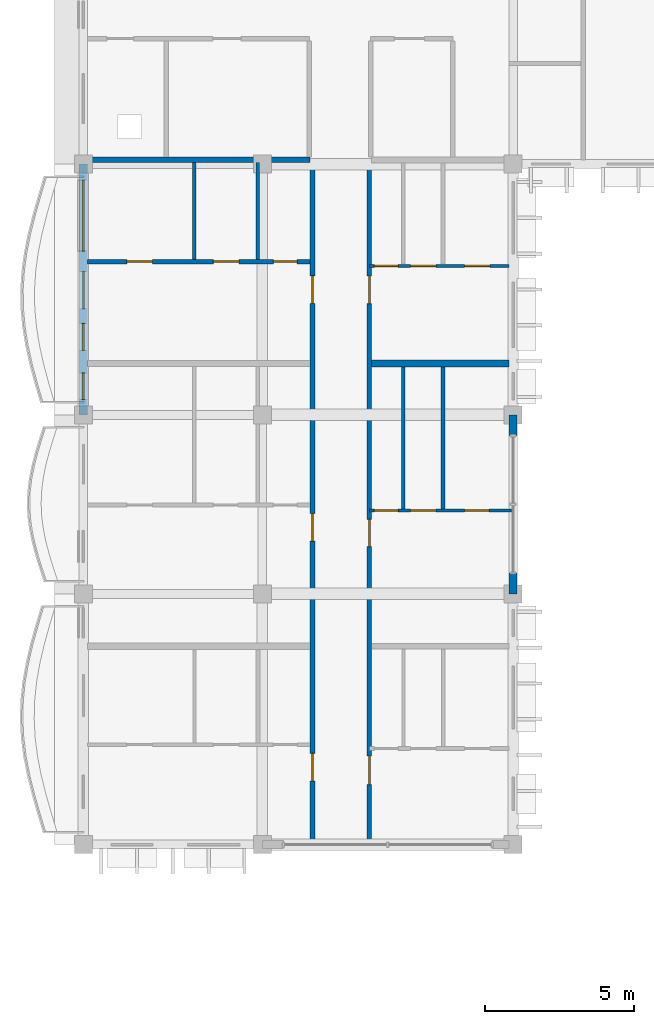
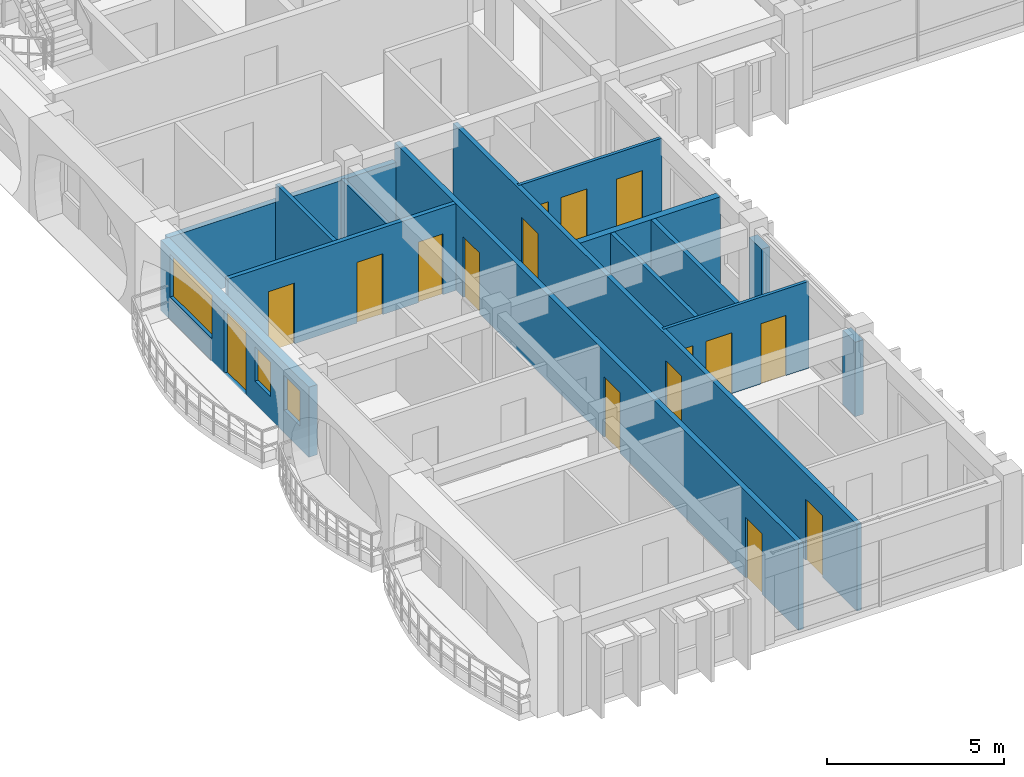
# One storey, part 25 of 54: 16 doors, 14 walls, 3 windows, 19 openings.
"""IFC4 building model written with IfcOpenShell, lengths in metres."""

from ifc_helpers import new_model, si_unit, direction, frame, frame_2d, origin, place, context, subcontext, project, spatial, rectangle, extrude, material, layer, layer_set, type_object, element, fill, save


model = new_model("IFC4")

# Units and contexts
model_context = context("Model", 3, precision=1e-05, world=origin(), true_north=direction((0.0, 1.0)))
body_context = subcontext(model_context, "Body", "Model", "MODEL_VIEW")
ifc_project = project(units=[si_unit("LENGTHUNIT", "METRE"), si_unit("AREAUNIT", "SQUARE_METRE"), si_unit("VOLUMEUNIT", "CUBIC_METRE"), si_unit("PLANEANGLEUNIT", "RADIAN"), si_unit("MASSUNIT", "GRAM", prefix="KILO"), si_unit("THERMODYNAMICTEMPERATUREUNIT", "KELVIN")], contexts=[model_context])

# Site, building, storey
site_placement = place(None, origin())
site = spatial("IfcSite", under=ifc_project, at=site_placement, CompositionType="ELEMENT")
building_placement = place(site_placement, origin())
building = spatial("IfcBuilding", under=site, at=building_placement, Name="Thalorik Housing Commons", CompositionType="ELEMENT")
storey_placement = place(building_placement, frame((0.0, 0.0, 31.199951171875)))
storey = spatial("IfcBuildingStorey", under=building, at=storey_placement, Name="L09", CompositionType="ELEMENT", Elevation=31.199951171875)

# Wall, openings, doors
ifc_material_1 = material(Name="Masonry fire-rated corridor wall", Category="masonry")
ifc_layer_1 = layer(ifc_material_1, 0.14990234375, Name="Masonry fire-rated corridor wall", Category="masonry")
ifc_layer_set_1 = layer_set([ifc_layer_1], Name="Masonry fire-rated corridor wall")
wall_type_1 = type_object("IfcWallType", Name="ARC-WAL-CORR-150", PredefinedType="PARTITIONING", material=ifc_layer_set_1)
wall_1_placement = place(storey_placement, frame((17.97998046875, 86.4599609375, 0.0), z_axis=(0.0, 0.0, 1.0), x_axis=(0.0, 1.0, 0.0)))
wall_1 = element("IfcWall", 1, at=wall_1_placement, inside=storey, type_object=wall_type_1, Name="L09 Block A W Corridor Wall 2", PredefinedType="PARTITIONING", context=body_context, shape_type="SweptSolid", body=[
    extrude(rectangle(XDim=22.880126953125, YDim=0.14990234375, at=frame_2d((11.43994140625, 0.0))), origin(), (0.0, 0.0, 1.0), 3.0),
])
opening_1_placement = place(wall_1_placement, frame((1.948486328125, 0.0, 0.0)))
opening_1 = element("IfcOpeningElement", 2, at=opening_1_placement, cuts=wall_1, Name="Opening ID-0810", PredefinedType="OPENING", context=body_context, shape_type="SweptSolid", body=[
    extrude(rectangle(XDim=0.9599609375, YDim=2.1201171875, at=frame_2d((0.47998046875, 1.06005859375))), frame((0.0, 0.0849609375, 0.0), z_axis=(0.0, -1.0, 0.0), x_axis=(1.0, 0.0, 0.0)), (0.0, 0.0, 1.0), 0.169921875),
])
opening_2_placement = place(wall_1_placement, frame((9.92041015625, 0.0, 0.0)))
opening_2 = element("IfcOpeningElement", 3, at=opening_2_placement, cuts=wall_1, Name="Opening ID-0811", PredefinedType="OPENING", context=body_context, shape_type="SweptSolid", body=[
    extrude(rectangle(XDim=0.919921875, YDim=2.10009765625, at=frame_2d((0.4599609375, 1.050048828125))), frame((0.0, 0.0849609375, 0.0), z_axis=(0.0, -1.0, 0.0), x_axis=(1.0, 0.0, 0.0)), (0.0, 0.0, 1.0), 0.169921875),
])
opening_3_placement = place(wall_1_placement, frame((18.06689453125, 0.0, 0.0)))
opening_3 = element("IfcOpeningElement", 4, at=opening_3_placement, cuts=wall_1, Name="Opening ID-0812", PredefinedType="OPENING", context=body_context, shape_type="SweptSolid", body=[
    extrude(rectangle(XDim=0.919921875, YDim=2.10009765625, at=frame_2d((0.4599609375, 1.050048828125))), frame((0.0, 0.0849609375, 0.0), z_axis=(0.0, -1.0, 0.0), x_axis=(1.0, 0.0, 0.0)), (0.0, 0.0, 1.0), 0.169921875),
])
ifc_material_2 = material(Name="Solid core hardwood timber", Category="wood")
door_type_1 = type_object("IfcDoorType", Name="ARC-DR-FD30-920", OperationType="NOTDEFINED", PredefinedType="DOOR", material=ifc_material_2)
door_1_placement = place(opening_2_placement, origin())
door_1 = element("IfcDoor", 5, at=door_1_placement, inside=storey, type_object=door_type_1, Name="L09 Flat AW-2B Entrance Door", OperationType="SINGLE_SWING_RIGHT", OverallHeight=2.10009765625, OverallWidth=0.919921875, PredefinedType="DOOR", context=body_context, shape_type="SweptSolid", body=[
    extrude(rectangle(XDim=0.919921875, YDim=2.10009765625, at=frame_2d((0.4599609375, 1.050048828125))), frame((0.0, 0.02490234375, 0.0), z_axis=(0.0, -1.0, 0.0), x_axis=(1.0, 0.0, 0.0)), (0.0, 0.0, 1.0), 0.050048828125),
])
fill(opening_2, door_1)
door_2_placement = place(opening_3_placement, origin())
door_2 = element("IfcDoor", 6, at=door_2_placement, inside=storey, type_object=door_type_1, Name="L09 Flat AW-3B Entrance Door", OperationType="SINGLE_SWING_LEFT", OverallHeight=2.10009765625, OverallWidth=0.919921875, PredefinedType="DOOR", context=body_context, shape_type="SweptSolid", body=[
    extrude(rectangle(XDim=0.919921875, YDim=2.10009765625, at=frame_2d((0.4599609375, 1.050048828125))), frame((0.0, 0.02490234375, 0.0), z_axis=(0.0, -1.0, 0.0), x_axis=(1.0, 0.0, 0.0)), (0.0, 0.0, 1.0), 0.050048828125),
])
fill(opening_3, door_2)
door_type_2 = type_object("IfcDoorType", Name="ARC-DR-FD30-960", OperationType="NOTDEFINED", PredefinedType="DOOR", material=ifc_material_2)
door_3_placement = place(opening_1_placement, origin())
door_3 = element("IfcDoor", 7, at=door_3_placement, inside=storey, type_object=door_type_2, Name="L09 Flat AW-1B Entrance Door", OperationType="SINGLE_SWING_LEFT", OverallHeight=2.1201171875, OverallWidth=0.9599609375, PredefinedType="DOOR", context=body_context, shape_type="SweptSolid", body=[
    extrude(rectangle(XDim=0.9599609375, YDim=2.1201171875, at=frame_2d((0.47998046875, 1.06005859375))), frame((0.0, 0.02490234375, 0.0), z_axis=(0.0, -1.0, 0.0), x_axis=(1.0, 0.0, 0.0)), (0.0, 0.0, 1.0), 0.050048828125),
])
fill(opening_1, door_3)

ifc_layer_2 = layer(ifc_material_1, 0.1650390625, Name="Masonry fire-rated corridor wall", Category="masonry")
ifc_layer_set_2 = layer_set([ifc_layer_2], Name="Masonry fire-rated corridor wall")
wall_type_2 = type_object("IfcWallType", Name="ARC-WAL-CORR-165", PredefinedType="PARTITIONING", material=ifc_layer_set_2)
wall_2_placement = place(storey_placement, frame((16.080078125, 86.4599609375, 0.0), z_axis=(0.0, 0.0, 1.0), x_axis=(0.0, 1.0, 0.0)))
wall_2 = element("IfcWall", 8, at=wall_2_placement, inside=storey, type_object=wall_type_2, Name="L09 Block A W Corridor Wall 1", PredefinedType="PARTITIONING", context=body_context, shape_type="SweptSolid", body=[
    extrude(rectangle(XDim=22.880126953125, YDim=0.1650390625, at=frame_2d((11.43994140625, 0.0))), origin(), (0.0, 0.0, 1.0), 3.0),
])
opening_4_placement = place(wall_2_placement, frame((2.080078125, 0.0, 0.0)))
opening_4 = element("IfcOpeningElement", 9, at=opening_4_placement, cuts=wall_2, Name="Opening ID-0807", PredefinedType="OPENING", context=body_context, shape_type="SweptSolid", body=[
    extrude(rectangle(XDim=0.919921875, YDim=2.10009765625, at=frame_2d((0.4599609375, 1.050048828125))), frame((0.0, 0.092529296875, 0.0), z_axis=(0.0, -1.0, 0.0), x_axis=(1.0, 0.0, 0.0)), (0.0, 0.0, 1.0), 0.18505859375),
])
opening_5_placement = place(wall_2_placement, frame((10.110107421875, 0.0, 0.0)))
opening_5 = element("IfcOpeningElement", 10, at=opening_5_placement, cuts=wall_2, Name="Opening ID-0808", PredefinedType="OPENING", context=body_context, shape_type="SweptSolid", body=[
    extrude(rectangle(XDim=0.919921875, YDim=2.10009765625, at=frame_2d((0.4599609375, 1.050048828125))), frame((0.0, 0.092529296875, 0.0), z_axis=(0.0, -1.0, 0.0), x_axis=(1.0, 0.0, 0.0)), (0.0, 0.0, 1.0), 0.18505859375),
])
opening_6_placement = place(wall_2_placement, frame((18.0771484375, 0.0, 0.0)))
opening_6 = element("IfcOpeningElement", 11, at=opening_6_placement, cuts=wall_2, Name="Opening ID-0809", PredefinedType="OPENING", context=body_context, shape_type="SweptSolid", body=[
    extrude(rectangle(XDim=0.919921875, YDim=2.10009765625, at=frame_2d((0.4599609375, 1.050048828125))), frame((0.0, 0.092529296875, 0.0), z_axis=(0.0, -1.0, 0.0), x_axis=(1.0, 0.0, 0.0)), (0.0, 0.0, 1.0), 0.18505859375),
])
door_4_placement = place(opening_4_placement, origin())
door_4 = element("IfcDoor", 12, at=door_4_placement, inside=storey, type_object=door_type_1, Name="L09 Flat AW-1A Entrance Door", OperationType="SINGLE_SWING_RIGHT", OverallHeight=2.10009765625, OverallWidth=0.919921875, PredefinedType="DOOR", context=body_context, shape_type="SweptSolid", body=[
    extrude(rectangle(XDim=0.919921875, YDim=2.10009765625, at=frame_2d((0.4599609375, 1.050048828125))), frame((0.0, 0.02490234375, 0.0), z_axis=(0.0, -1.0, 0.0), x_axis=(1.0, 0.0, 0.0)), (0.0, 0.0, 1.0), 0.050048828125),
])
fill(opening_4, door_4)
door_5_placement = place(opening_5_placement, origin())
door_5 = element("IfcDoor", 13, at=door_5_placement, inside=storey, type_object=door_type_1, Name="L09 Flat AW-2A Entrance Door", OperationType="SINGLE_SWING_LEFT", OverallHeight=2.10009765625, OverallWidth=0.919921875, PredefinedType="DOOR", context=body_context, shape_type="SweptSolid", body=[
    extrude(rectangle(XDim=0.919921875, YDim=2.10009765625, at=frame_2d((0.4599609375, 1.050048828125))), frame((0.0, 0.02490234375, 0.0), z_axis=(0.0, -1.0, 0.0), x_axis=(1.0, 0.0, 0.0)), (0.0, 0.0, 1.0), 0.050048828125),
])
fill(opening_5, door_5)
door_6_placement = place(opening_6_placement, origin())
door_6 = element("IfcDoor", 14, at=door_6_placement, inside=storey, type_object=door_type_1, Name="L09 Flat AW-3A Entrance Door", OperationType="SINGLE_SWING_RIGHT", OverallHeight=2.10009765625, OverallWidth=0.919921875, PredefinedType="DOOR", context=body_context, shape_type="SweptSolid", body=[
    extrude(rectangle(XDim=0.919921875, YDim=2.10009765625, at=frame_2d((0.4599609375, 1.050048828125))), frame((0.0, 0.02490234375, 0.0), z_axis=(0.0, -1.0, 0.0), x_axis=(1.0, 0.0, 0.0)), (0.0, 0.0, 1.0), 0.050048828125),
])
fill(opening_6, door_6)

# Wall, openings, door, windows
ifc_material_3 = material(Name="White precast concrete C40/50", Category="concrete")
ifc_layer_3 = layer(ifc_material_3, 0.27490234375, Name="White precast concrete C40/50", Category="concrete")
ifc_layer_set_3 = layer_set([ifc_layer_3], Name="White precast concrete C40/50")
wall_type_3 = type_object("IfcWallType", Name="ARC-WAL-EXT-275", PredefinedType="STANDARD", material=ifc_layer_set_3)
wall_3_placement = place(storey_placement, frame((8.39990234375, 109.199951171875, 0.0), z_axis=(0.0, 0.0, 1.0), x_axis=(0.0, -1.0, 0.0)))
wall_3 = element("IfcWall", 15, at=wall_3_placement, inside=storey, type_object=wall_type_3, Name="L09 Exterior Wall WAL-EXT-L09-A-0249", PredefinedType="STANDARD", context=body_context, shape_type="SweptSolid", body=[
    extrude(rectangle(XDim=8.39990234375, YDim=0.27490234375, at=frame_2d((4.199951171875, 0.0))), origin(), (0.0, 0.0, 1.0), 2.425048828125),
])
opening_7_placement = place(wall_3_placement, frame((3.60009765625, 0.0, 0.0)))
opening_7 = element("IfcOpeningElement", 16, at=opening_7_placement, cuts=wall_3, Name="Opening ED-0079", PredefinedType="OPENING", context=body_context, shape_type="SweptSolid", body=[
    extrude(rectangle(XDim=1.25, YDim=2.199951171875, at=frame_2d((0.625, 1.10009765625))), frame((0.0, 0.1474609375, 0.0), z_axis=(0.0, -1.0, 0.0), x_axis=(1.0, 0.0, 0.0)), (0.0, 0.0, 1.0), 0.294921875),
])
opening_8_placement = place(wall_3_placement, frame((0.5400390625, 0.0, 0.780029296875)))
opening_8 = element("IfcOpeningElement", 17, at=opening_8_placement, cuts=wall_3, Name="Opening W-69", PredefinedType="OPENING", context=body_context, shape_type="SweptSolid", body=[
    extrude(rectangle(XDim=2.3798828125, YDim=1.47998046875, at=frame_2d((1.18994140625, 0.739990234375))), frame((0.0, 0.1474609375, 0.0), z_axis=(0.0, -1.0, 0.0), x_axis=(1.0, 0.0, 0.0)), (0.0, 0.0, 1.0), 0.294921875),
])
opening_9_placement = place(wall_3_placement, frame((5.340087890625, 0.0, 0.780029296875)))
opening_9 = element("IfcOpeningElement", 18, at=opening_9_placement, cuts=wall_3, Name="Opening W-01", PredefinedType="OPENING", context=body_context, shape_type="SweptSolid", body=[
    extrude(rectangle(XDim=0.89990234375, YDim=1.199951171875, at=frame_2d((0.449951171875, 0.60009765625))), frame((0.0, 0.1474609375, 0.0), z_axis=(0.0, -1.0, 0.0), x_axis=(1.0, 0.0, 0.0)), (0.0, 0.0, 1.0), 0.294921875),
])
opening_10_placement = place(wall_3_placement, frame((6.9951171875, 0.0, 0.780029296875)))
opening_10 = element("IfcOpeningElement", 19, at=opening_10_placement, cuts=wall_3, Name="Opening W-01", PredefinedType="OPENING", context=body_context, shape_type="SweptSolid", body=[
    extrude(rectangle(XDim=0.89990234375, YDim=1.199951171875, at=frame_2d((0.449951171875, 0.60009765625))), frame((0.0, 0.1474609375, 0.0), z_axis=(0.0, -1.0, 0.0), x_axis=(1.0, 0.0, 0.0)), (0.0, 0.0, 1.0), 0.294921875),
])
ifc_material_4 = material(Name="Anodised aluminium and laminated safety glass", Category="aluminium")
door_type_3 = type_object("IfcDoorType", Name="ARC-DR-BAL-1250", OperationType="NOTDEFINED", PredefinedType="DOOR", material=ifc_material_4)
door_7_placement = place(opening_7_placement, frame((1.25, 0.0, 0.0), z_axis=(0.0, 0.0, 1.0), x_axis=(-1.0, 0.0, 0.0)))
door_7 = element("IfcDoor", 20, at=door_7_placement, inside=storey, type_object=door_type_3, Name="L09 Block A Balcony Glazed Door", OperationType="SINGLE_SWING_RIGHT", OverallHeight=2.199951171875, OverallWidth=1.25, PredefinedType="DOOR", context=body_context, shape_type="SweptSolid", body=[
    extrude(rectangle(XDim=1.25, YDim=2.199951171875, at=frame_2d((0.625, 1.10009765625))), frame((0.0, 0.02490234375, 0.0), z_axis=(0.0, -1.0, 0.0), x_axis=(1.0, 0.0, 0.0)), (0.0, 0.0, 1.0), 0.050048828125),
])
fill(opening_7, door_7)
ifc_material_5 = material(Name="Anodised aluminium and solar-control low-E glass", Category="aluminium")
window_type_1 = type_object("IfcWindowType", Name="ARC-WIN-01", PartitioningType="SINGLE_PANEL", PredefinedType="WINDOW", material=ifc_material_5)
window_1_placement = place(opening_9_placement, origin())
window_1 = element("IfcWindow", 21, at=window_1_placement, inside=storey, type_object=window_type_1, Name="L09 Facade Window 447", OverallHeight=1.199951171875, OverallWidth=0.89990234375, PartitioningType="SINGLE_PANEL", PredefinedType="WINDOW", context=body_context, shape_type="SweptSolid", body=[
    extrude(rectangle(XDim=0.89990234375, YDim=1.199951171875, at=frame_2d((0.449951171875, 0.60009765625))), frame((0.0, 0.030029296875, 0.0), z_axis=(0.0, -1.0, 0.0), x_axis=(1.0, 0.0, 0.0)), (0.0, 0.0, 1.0), 0.06005859375),
])
fill(opening_9, window_1)
window_2_placement = place(opening_10_placement, origin())
window_2 = element("IfcWindow", 22, at=window_2_placement, inside=storey, type_object=window_type_1, Name="L09 Facade Window 448", OverallHeight=1.199951171875, OverallWidth=0.89990234375, PartitioningType="SINGLE_PANEL", PredefinedType="WINDOW", context=body_context, shape_type="SweptSolid", body=[
    extrude(rectangle(XDim=0.89990234375, YDim=1.199951171875, at=frame_2d((0.449951171875, 0.60009765625))), frame((0.0, 0.030029296875, 0.0), z_axis=(0.0, -1.0, 0.0), x_axis=(1.0, 0.0, 0.0)), (0.0, 0.0, 1.0), 0.06005859375),
])
fill(opening_10, window_2)
window_type_2 = type_object("IfcWindowType", Name="ARC-WIN-69", PartitioningType="DOUBLE_PANEL_VERTICAL", PredefinedType="WINDOW", material=ifc_material_5)
window_3_placement = place(opening_8_placement, origin())
window_3 = element("IfcWindow", 23, at=window_3_placement, inside=storey, type_object=window_type_2, Name="L09 Facade Window 446", OverallHeight=1.47998046875, OverallWidth=2.3798828125, PartitioningType="DOUBLE_PANEL_VERTICAL", PredefinedType="WINDOW", context=body_context, shape_type="SweptSolid", body=[
    extrude(rectangle(XDim=2.3798828125, YDim=1.47998046875, at=frame_2d((1.18994140625, 0.739990234375))), frame((0.0, 0.030029296875, 0.0), z_axis=(0.0, -1.0, 0.0), x_axis=(1.0, 0.0, 0.0)), (0.0, 0.0, 1.0), 0.06005859375),
])
fill(opening_8, window_3)

# Walls
for number, where, z_axis, x_axis, name in (
    (24, (22.800048828125, 94.800048828125, 0.0), (0.0, 0.0, 1.0), (0.0, 1.0, 0.0), "L09 Exterior Wall WAL-PIERL-L09-A-0255"),
    (25, (22.800048828125, 100.10009765625, 0.0), (0.0, 0.0, 1.0), (0.0, 1.0, 0.0), "L09 Exterior Wall WAL-PIERR-L09-A-0255"),
):
    element("IfcWall", number, at=place(storey_placement, frame(where, z_axis=z_axis, x_axis=x_axis)), inside=storey, type_object=wall_type_3, Name=name, PredefinedType="STANDARD", context=body_context, shape_type="SweptSolid", body=[
        extrude(rectangle(XDim=0.699951171875, YDim=0.27490234375, at=frame_2d((0.35009765625, 0.0))), origin(), (0.0, 0.0, 1.0), 2.574951171875),
    ])

# Wall, openings, doors
ifc_material_6 = material(Name="Gypsum light stud partition", Category="masonry")
ifc_layer_4 = layer(ifc_material_6, 0.10009765625, Name="Gypsum light stud partition", Category="masonry")
ifc_layer_set_4 = layer_set([ifc_layer_4], Name="Gypsum light stud partition")
wall_type_4 = type_object("IfcWallType", Name="ARC-WAL-PART-100", PredefinedType="PARTITIONING", material=ifc_layer_set_4)
wall_4_placement = place(storey_placement, frame((17.97998046875, 97.59033203125, 0.0), z_axis=(0.0, 0.0, 1.0), x_axis=(1.0, 0.0, 0.0)))
wall_4 = element("IfcWall", 26, at=wall_4_placement, inside=storey, type_object=wall_type_4, Name="L09 Unit 2B Spine Partition", PredefinedType="PARTITIONING", context=body_context, shape_type="SweptSolid", body=[
    extrude(rectangle(XDim=4.760009765625, YDim=0.10009765625, at=frame_2d((2.3798828125, 0.0))), origin(), (0.0, 0.0, 1.0), 3.0),
])
opening_11_placement = place(wall_4_placement, frame((0.171142578125, 0.0, 0.0)))
opening_11 = element("IfcOpeningElement", 27, at=opening_11_placement, cuts=wall_4, Name="Opening ID-0798", PredefinedType="OPENING", context=body_context, shape_type="SweptSolid", body=[
    extrude(rectangle(XDim=0.800048828125, YDim=2.10009765625, at=frame_2d((0.39990234375, 1.050048828125))), frame((0.0, 0.06005859375, 0.0), z_axis=(0.0, -1.0, 0.0), x_axis=(1.0, 0.0, 0.0)), (0.0, 0.0, 1.0), 0.1201171875),
])
opening_12_placement = place(wall_4_placement, frame((1.3837890625, 0.0, 0.0)))
opening_12 = element("IfcOpeningElement", 28, at=opening_12_placement, cuts=wall_4, Name="Opening ID-0799", PredefinedType="OPENING", context=body_context, shape_type="SweptSolid", body=[
    extrude(rectangle(XDim=0.85009765625, YDim=2.10009765625, at=frame_2d((0.425048828125, 1.050048828125))), frame((0.0, 0.06005859375, 0.0), z_axis=(0.0, -1.0, 0.0), x_axis=(1.0, 0.0, 0.0)), (0.0, 0.0, 1.0), 0.1201171875),
])
opening_13_placement = place(wall_4_placement, frame((3.192626953125, 0.0, 0.0)))
opening_13 = element("IfcOpeningElement", 29, at=opening_13_placement, cuts=wall_4, Name="Opening ID-0800", PredefinedType="OPENING", context=body_context, shape_type="SweptSolid", body=[
    extrude(rectangle(XDim=0.820068359375, YDim=2.080078125, at=frame_2d((0.41015625, 1.0400390625))), frame((0.0, 0.06005859375, 0.0), z_axis=(0.0, -1.0, 0.0), x_axis=(1.0, 0.0, 0.0)), (0.0, 0.0, 1.0), 0.1201171875),
])
ifc_material_7 = material(Name="Moisture-resistant timber", Category="wood")
door_type_4 = type_object("IfcDoorType", Name="ARC-DR-INT-800", OperationType="NOTDEFINED", PredefinedType="DOOR", material=ifc_material_7)
door_8_placement = place(opening_11_placement, origin())
door_8 = element("IfcDoor", 30, at=door_8_placement, inside=storey, type_object=door_type_4, Name="L09 Flat Bathroom Door", OperationType="SINGLE_SWING_LEFT", OverallHeight=2.10009765625, OverallWidth=0.800048828125, PredefinedType="DOOR", context=body_context, shape_type="SweptSolid", body=[
    extrude(rectangle(XDim=0.800048828125, YDim=2.10009765625, at=frame_2d((0.39990234375, 1.050048828125))), frame((0.0, 0.02490234375, 0.0), z_axis=(0.0, -1.0, 0.0), x_axis=(1.0, 0.0, 0.0)), (0.0, 0.0, 1.0), 0.050048828125),
])
fill(opening_11, door_8)
ifc_material_8 = material(Name="Engineered oak timber", Category="wood")
door_type_5 = type_object("IfcDoorType", Name="ARC-DR-INT-820", OperationType="NOTDEFINED", PredefinedType="DOOR", material=ifc_material_8)
door_9_placement = place(opening_13_placement, origin())
door_9 = element("IfcDoor", 31, at=door_9_placement, inside=storey, type_object=door_type_5, Name="L09 Double Bedroom Door", OperationType="SINGLE_SWING_LEFT", OverallHeight=2.080078125, OverallWidth=0.820068359375, PredefinedType="DOOR", context=body_context, shape_type="SweptSolid", body=[
    extrude(rectangle(XDim=0.820068359375, YDim=2.080078125, at=frame_2d((0.41015625, 1.0400390625))), frame((0.0, 0.02490234375, 0.0), z_axis=(0.0, -1.0, 0.0), x_axis=(1.0, 0.0, 0.0)), (0.0, 0.0, 1.0), 0.050048828125),
])
fill(opening_13, door_9)
door_type_6 = type_object("IfcDoorType", Name="ARC-DR-INT-850", OperationType="NOTDEFINED", PredefinedType="DOOR", material=ifc_material_8)
door_10_placement = place(opening_12_placement, origin())
door_10 = element("IfcDoor", 32, at=door_10_placement, inside=storey, type_object=door_type_6, Name="L09 Galley Kitchen Door", OperationType="SINGLE_SWING_RIGHT", OverallHeight=2.10009765625, OverallWidth=0.85009765625, PredefinedType="DOOR", context=body_context, shape_type="SweptSolid", body=[
    extrude(rectangle(XDim=0.85009765625, YDim=2.10009765625, at=frame_2d((0.425048828125, 1.050048828125))), frame((0.0, 0.02490234375, 0.0), z_axis=(0.0, -1.0, 0.0), x_axis=(1.0, 0.0, 0.0)), (0.0, 0.0, 1.0), 0.050048828125),
])
fill(opening_12, door_10)

wall_5_placement = place(storey_placement, frame((17.97998046875, 105.793701171875, 0.0), z_axis=(0.0, 0.0, 1.0), x_axis=(1.0, 0.0, 0.0)))
wall_5 = element("IfcWall", 33, at=wall_5_placement, inside=storey, type_object=wall_type_4, Name="L09 Unit 3B Spine Partition", PredefinedType="PARTITIONING", context=body_context, shape_type="SweptSolid", body=[
    extrude(rectangle(XDim=4.680419921875, YDim=0.10009765625, at=frame_2d((2.34033203125, 0.0))), origin(), (0.0, 0.0, 1.0), 3.0),
])
opening_14_placement = place(wall_5_placement, frame((0.171142578125, 0.0, 0.0)))
opening_14 = element("IfcOpeningElement", 34, at=opening_14_placement, cuts=wall_5, Name="Opening ID-0804", PredefinedType="OPENING", context=body_context, shape_type="SweptSolid", body=[
    extrude(rectangle(XDim=0.800048828125, YDim=2.10009765625, at=frame_2d((0.39990234375, 1.050048828125))), frame((0.0, 0.06005859375, 0.0), z_axis=(0.0, -1.0, 0.0), x_axis=(1.0, 0.0, 0.0)), (0.0, 0.0, 1.0), 0.1201171875),
])
opening_15_placement = place(wall_5_placement, frame((1.3837890625, 0.0, 0.0)))
opening_15 = element("IfcOpeningElement", 35, at=opening_15_placement, cuts=wall_5, Name="Opening ID-0805", PredefinedType="OPENING", context=body_context, shape_type="SweptSolid", body=[
    extrude(rectangle(XDim=0.85009765625, YDim=2.10009765625, at=frame_2d((0.425048828125, 1.050048828125))), frame((0.0, 0.06005859375, 0.0), z_axis=(0.0, -1.0, 0.0), x_axis=(1.0, 0.0, 0.0)), (0.0, 0.0, 1.0), 0.1201171875),
])
opening_16_placement = place(wall_5_placement, frame((3.192626953125, 0.0, 0.0)))
opening_16 = element("IfcOpeningElement", 36, at=opening_16_placement, cuts=wall_5, Name="Opening ID-0806", PredefinedType="OPENING", context=body_context, shape_type="SweptSolid", body=[
    extrude(rectangle(XDim=0.85009765625, YDim=2.10009765625, at=frame_2d((0.425048828125, 1.050048828125))), frame((0.0, 0.06005859375, 0.0), z_axis=(0.0, -1.0, 0.0), x_axis=(1.0, 0.0, 0.0)), (0.0, 0.0, 1.0), 0.1201171875),
])
door_11_placement = place(opening_14_placement, origin())
door_11 = element("IfcDoor", 37, at=door_11_placement, inside=storey, type_object=door_type_4, Name="L09 Accessible Bathroom Door", OperationType="SINGLE_SWING_LEFT", OverallHeight=2.10009765625, OverallWidth=0.800048828125, PredefinedType="DOOR", context=body_context, shape_type="SweptSolid", body=[
    extrude(rectangle(XDim=0.800048828125, YDim=2.10009765625, at=frame_2d((0.39990234375, 1.050048828125))), frame((0.0, 0.02490234375, 0.0), z_axis=(0.0, -1.0, 0.0), x_axis=(1.0, 0.0, 0.0)), (0.0, 0.0, 1.0), 0.050048828125),
])
fill(opening_14, door_11)
door_12_placement = place(opening_15_placement, origin())
door_12 = element("IfcDoor", 38, at=door_12_placement, inside=storey, type_object=door_type_6, Name="L09 Eat-In Kitchen Door", OperationType="SINGLE_SWING_RIGHT", OverallHeight=2.10009765625, OverallWidth=0.85009765625, PredefinedType="DOOR", context=body_context, shape_type="SweptSolid", body=[
    extrude(rectangle(XDim=0.85009765625, YDim=2.10009765625, at=frame_2d((0.425048828125, 1.050048828125))), frame((0.0, 0.02490234375, 0.0), z_axis=(0.0, -1.0, 0.0), x_axis=(1.0, 0.0, 0.0)), (0.0, 0.0, 1.0), 0.050048828125),
])
fill(opening_15, door_12)
door_13_placement = place(opening_16_placement, origin())
door_13 = element("IfcDoor", 39, at=door_13_placement, inside=storey, type_object=door_type_6, Name="L09 Double Bedroom Door", OperationType="SINGLE_SWING_LEFT", OverallHeight=2.10009765625, OverallWidth=0.85009765625, PredefinedType="DOOR", context=body_context, shape_type="SweptSolid", body=[
    extrude(rectangle(XDim=0.85009765625, YDim=2.10009765625, at=frame_2d((0.425048828125, 1.050048828125))), frame((0.0, 0.02490234375, 0.0), z_axis=(0.0, -1.0, 0.0), x_axis=(1.0, 0.0, 0.0)), (0.0, 0.0, 1.0), 0.050048828125),
])
fill(opening_16, door_13)

# Walls
ifc_material_9 = material(Name="Gypsum moisture-resistant partition", Category="masonry")
ifc_layer_5 = layer(ifc_material_9, 0.114990234375, Name="Gypsum moisture-resistant partition", Category="masonry")
ifc_layer_set_5 = layer_set([ifc_layer_5], Name="Gypsum moisture-resistant partition")
wall_type_5 = type_object("IfcWallType", Name="ARC-WAL-PART-115", PredefinedType="PARTITIONING", material=ifc_layer_set_5)
wall_6_placement = place(storey_placement, frame((14.251220703125, 106.001953125, 0.0), z_axis=(0.0, 0.0, 1.0), x_axis=(0.0, 1.0, 0.0)))
element("IfcWall", 40, at=wall_6_placement, inside=storey, type_object=wall_type_5, Name="L09 Unit 3 Wet Wall", PredefinedType="PARTITIONING", context=body_context, shape_type="SweptSolid", body=[
    extrude(rectangle(XDim=3.24365234375, YDim=0.114990234375, at=frame_2d((1.621826171875, 0.0))), origin(), (0.0, 0.0, 1.0), 2.425048828125),
])
ifc_material_10 = material(Name="Gypsum acoustic stud partition", Category="masonry")
ifc_layer_6 = layer(ifc_material_10, 0.125, Name="Gypsum acoustic stud partition", Category="masonry")
ifc_layer_set_6 = layer_set([ifc_layer_6], Name="Gypsum acoustic stud partition")
wall_type_6 = type_object("IfcWallType", Name="ARC-WAL-PART-125", PredefinedType="PARTITIONING", material=ifc_layer_set_6)
wall_7_placement = place(storey_placement, frame((19.122314453125, 97.642333984375, 0.0), z_axis=(0.0, 0.0, 1.0), x_axis=(0.0, 1.0, 0.0)))
element("IfcWall", 41, at=wall_7_placement, inside=storey, type_object=wall_type_6, Name="L09 Unit 2B Wet Wall", PredefinedType="PARTITIONING", context=body_context, shape_type="SweptSolid", body=[
    extrude(rectangle(XDim=4.765625, YDim=0.125, at=frame_2d((2.3828125, 0.0))), origin(), (0.0, 0.0, 1.0), 3.0),
])
wall_8_placement = place(storey_placement, frame((12.11767578125, 106.001953125, 0.0), z_axis=(0.0, 0.0, 1.0), x_axis=(0.0, 1.0, 0.0)))
element("IfcWall", 42, at=wall_8_placement, inside=storey, type_object=wall_type_6, Name="L09 Unit 3 Bedroom Partition", PredefinedType="PARTITIONING", context=body_context, shape_type="SweptSolid", body=[
    extrude(rectangle(XDim=3.24365234375, YDim=0.125, at=frame_2d((1.621826171875, 0.0))), origin(), (0.0, 0.0, 1.0), 3.0),
])
ifc_material_11 = material(Name="Ceramic masonry partition wall", Category="masonry")
ifc_layer_7 = layer(ifc_material_11, 0.139892578125, Name="Ceramic masonry partition wall", Category="masonry")
ifc_layer_set_7 = layer_set([ifc_layer_7], Name="Ceramic masonry partition wall")
wall_type_7 = type_object("IfcWallType", Name="ARC-WAL-PART-140", PredefinedType="PARTITIONING", material=ifc_layer_set_7)
wall_9_placement = place(storey_placement, frame((20.455078125, 97.642333984375, 0.0), z_axis=(0.0, 0.0, 1.0), x_axis=(0.0, 1.0, 0.0)))
element("IfcWall", 43, at=wall_9_placement, inside=storey, type_object=wall_type_7, Name="L09 Unit 2B Bedroom Partition", PredefinedType="PARTITIONING", context=body_context, shape_type="SweptSolid", body=[
    extrude(rectangle(XDim=4.765625, YDim=0.139892578125, at=frame_2d((2.3828125, 0.0))), origin(), (0.0, 0.0, 1.0), 3.0),
])

# Wall, openings, doors
wall_10_placement = place(storey_placement, frame((8.53955078125, 105.929931640625, 0.0), z_axis=(0.0, 0.0, 1.0), x_axis=(1.0, 0.0, 0.0)))
wall_10 = element("IfcWall", 44, at=wall_10_placement, inside=storey, type_object=wall_type_7, Name="L09 Unit 3 Spine Partition", PredefinedType="PARTITIONING", context=body_context, shape_type="SweptSolid", body=[
    extrude(rectangle(XDim=7.4560546875, YDim=0.139892578125, at=frame_2d((3.72802734375, 0.0))), origin(), (0.0, 0.0, 1.0), 3.0),
])
opening_17_placement = place(wall_10_placement, frame((1.32421875, 0.0, 0.0)))
opening_17 = element("IfcOpeningElement", 45, at=opening_17_placement, cuts=wall_10, Name="Opening ID-0801", PredefinedType="OPENING", context=body_context, shape_type="SweptSolid", body=[
    extrude(rectangle(XDim=0.85009765625, YDim=2.10009765625, at=frame_2d((0.425048828125, 1.050048828125))), frame((0.0, 0.080078125, 0.0), z_axis=(0.0, -1.0, 0.0), x_axis=(1.0, 0.0, 0.0)), (0.0, 0.0, 1.0), 0.159912109375),
])
opening_18_placement = place(wall_10_placement, frame((4.219970703125, 0.0, 0.0)))
opening_18 = element("IfcOpeningElement", 46, at=opening_18_placement, cuts=wall_10, Name="Opening ID-0802", PredefinedType="OPENING", context=body_context, shape_type="SweptSolid", body=[
    extrude(rectangle(XDim=0.85009765625, YDim=2.10009765625, at=frame_2d((0.425048828125, 1.050048828125))), frame((0.0, 0.080078125, 0.0), z_axis=(0.0, -1.0, 0.0), x_axis=(1.0, 0.0, 0.0)), (0.0, 0.0, 1.0), 0.159912109375),
])
opening_19_placement = place(wall_10_placement, frame((6.22607421875, 0.0, 0.0)))
opening_19 = element("IfcOpeningElement", 47, at=opening_19_placement, cuts=wall_10, Name="Opening ID-0803", PredefinedType="OPENING", context=body_context, shape_type="SweptSolid", body=[
    extrude(rectangle(XDim=0.800048828125, YDim=2.10009765625, at=frame_2d((0.39990234375, 1.050048828125))), frame((0.0, 0.080078125, 0.0), z_axis=(0.0, -1.0, 0.0), x_axis=(1.0, 0.0, 0.0)), (0.0, 0.0, 1.0), 0.159912109375),
])
door_14_placement = place(opening_19_placement, origin())
door_14 = element("IfcDoor", 48, at=door_14_placement, inside=storey, type_object=door_type_4, Name="L09 Accessible Bathroom Door", OperationType="SINGLE_SWING_RIGHT", OverallHeight=2.10009765625, OverallWidth=0.800048828125, PredefinedType="DOOR", context=body_context, shape_type="SweptSolid", body=[
    extrude(rectangle(XDim=0.800048828125, YDim=2.10009765625, at=frame_2d((0.39990234375, 1.050048828125))), frame((0.0, 0.02490234375, 0.0), z_axis=(0.0, -1.0, 0.0), x_axis=(1.0, 0.0, 0.0)), (0.0, 0.0, 1.0), 0.050048828125),
])
fill(opening_19, door_14)
door_15_placement = place(opening_17_placement, origin())
door_15 = element("IfcDoor", 49, at=door_15_placement, inside=storey, type_object=door_type_6, Name="L09 Master Bedroom Door", OperationType="SINGLE_SWING_RIGHT", OverallHeight=2.10009765625, OverallWidth=0.85009765625, PredefinedType="DOOR", context=body_context, shape_type="SweptSolid", body=[
    extrude(rectangle(XDim=0.85009765625, YDim=2.10009765625, at=frame_2d((0.425048828125, 1.050048828125))), frame((0.0, 0.02490234375, 0.0), z_axis=(0.0, -1.0, 0.0), x_axis=(1.0, 0.0, 0.0)), (0.0, 0.0, 1.0), 0.050048828125),
])
fill(opening_17, door_15)
door_16_placement = place(opening_18_placement, origin())
door_16 = element("IfcDoor", 50, at=door_16_placement, inside=storey, type_object=door_type_6, Name="L09 Eat-In Kitchen Door", OperationType="SINGLE_SWING_LEFT", OverallHeight=2.10009765625, OverallWidth=0.85009765625, PredefinedType="DOOR", context=body_context, shape_type="SweptSolid", body=[
    extrude(rectangle(XDim=0.85009765625, YDim=2.10009765625, at=frame_2d((0.425048828125, 1.050048828125))), frame((0.0, 0.02490234375, 0.0), z_axis=(0.0, -1.0, 0.0), x_axis=(1.0, 0.0, 0.0)), (0.0, 0.0, 1.0), 0.050048828125),
])
fill(opening_18, door_16)

# Walls
ifc_material_12 = material(Name="Masonry acoustic blockwork wall", Category="masonry")
ifc_layer_8 = layer(ifc_material_12, 0.18505859375, Name="Masonry acoustic blockwork wall", Category="masonry")
ifc_layer_set_8 = layer_set([ifc_layer_8], Name="Masonry acoustic blockwork wall")
wall_type_8 = type_object("IfcWallType", Name="ARC-WAL-PARTY-185", PredefinedType="PARTITIONING", material=ifc_layer_set_8)
wall_11_placement = place(storey_placement, frame((8.53955078125, 109.340087890625, 0.0), z_axis=(0.0, 0.0, 1.0), x_axis=(1.0, 0.0, 0.0)))
element("IfcWall", 51, at=wall_11_placement, inside=storey, type_object=wall_type_8, Name="L09 Core End Wall A", PredefinedType="PARTITIONING", context=body_context, shape_type="SweptSolid", body=[
    extrude(rectangle(XDim=7.4560546875, YDim=0.18505859375, at=frame_2d((3.72802734375, 0.0))), origin(), (0.0, 0.0, 1.0), 2.375),
])
ifc_material_13 = material(Name="Precast concrete C40/50 acoustic wall", Category="concrete")
ifc_layer_9 = layer(ifc_material_13, 0.219970703125, Name="Precast concrete C40/50 acoustic wall", Category="concrete")
ifc_layer_set_9 = layer_set([ifc_layer_9], Name="Precast concrete C40/50 acoustic wall")
wall_type_9 = type_object("IfcWallType", Name="ARC-WAL-PARTY-220", PredefinedType="PARTITIONING", material=ifc_layer_set_9)
wall_12_placement = place(storey_placement, frame((18.056884765625, 102.52001953125, 0.0), z_axis=(0.0, 0.0, 1.0), x_axis=(1.0, 0.0, 0.0)))
element("IfcWall", 52, at=wall_12_placement, inside=storey, type_object=wall_type_9, Name="L09 Inter-Tenancy Wall 2B", PredefinedType="PARTITIONING", context=body_context, shape_type="SweptSolid", body=[
    extrude(rectangle(XDim=4.603515625, YDim=0.219970703125, at=frame_2d((2.3017578125, 0.0))), origin(), (0.0, 0.0, 1.0), 3.0),
])

save(model, "model.ifc")
